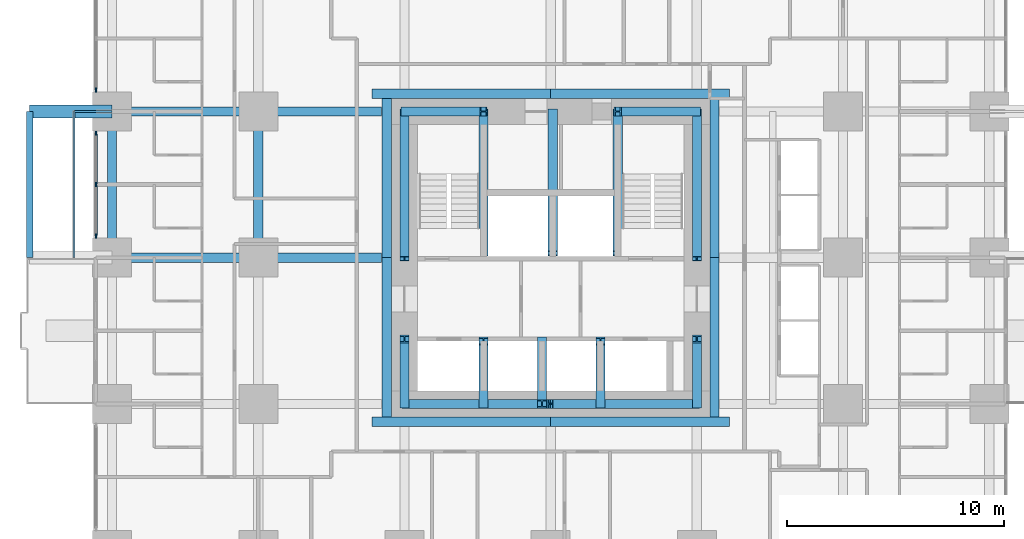
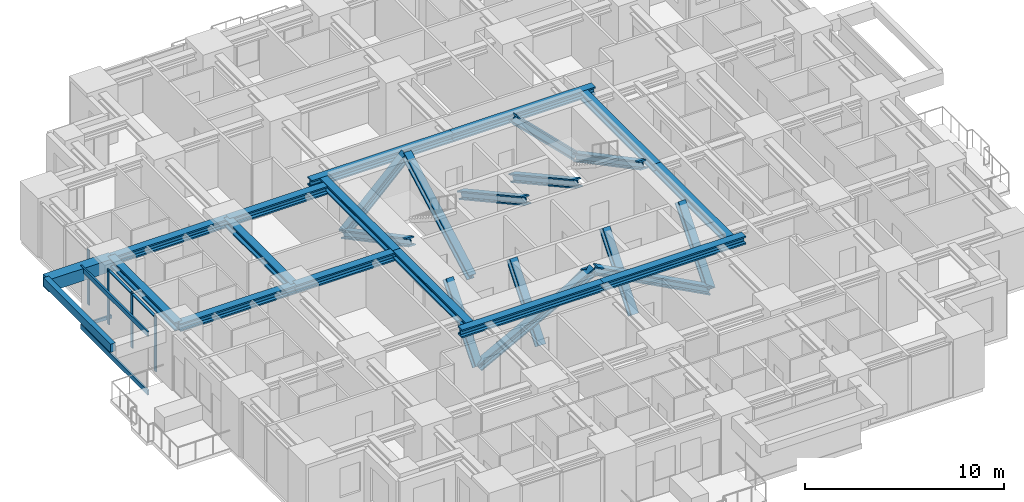
# One storey, part 3 of 15: 23 members, 16 beams, 2 elements without a shape of their own.
"""IFC4 building model written with IfcOpenShell, lengths in metres."""

from ifc_helpers import new_model, si_unit, direction, frame, origin, origin_2d, place, context, subcontext, project, spatial, rectangle, hollow_rectangle, i_section, extrude, material, material_profile, profile_set, type_object, element, aggregate, save


model = new_model("IFC4")

# Units and contexts
model_context = context("Model", 3, precision=1e-05, world=origin(), true_north=direction((0.0, 1.0)))
body_context = subcontext(model_context, "Body", "Model", "MODEL_VIEW")
ifc_project = project(units=[si_unit("LENGTHUNIT", "METRE"), si_unit("AREAUNIT", "SQUARE_METRE"), si_unit("VOLUMEUNIT", "CUBIC_METRE"), si_unit("PLANEANGLEUNIT", "RADIAN"), si_unit("MASSUNIT", "GRAM", prefix="KILO")], contexts=[model_context])

# Site, building, storey
site_placement = place(None, origin())
site = spatial("IfcSite", under=ifc_project, at=site_placement, CompositionType="ELEMENT")
building_placement = place(site_placement, origin())
building = spatial("IfcBuilding", under=site, at=building_placement, Name="Nyansa Garden Tower", CompositionType="ELEMENT")
storey_placement = place(building_placement, frame((0.0, 0.0, 61.199951171875)))
storey = spatial("IfcBuildingStorey", under=building, at=storey_placement, Name="L16", CompositionType="ELEMENT", Elevation=61.199951171875)

# Beams
ifc_material_1 = material(Name="Concrete C70/85", Category="concrete")
ifc_material_profile_1 = material_profile(ifc_material_1, rectangle(XDim=0.60009765625, YDim=0.75, at=origin_2d()), Name="RC 600x750")
ifc_profile_set_1 = profile_set([ifc_material_profile_1], Name="Concrete C70/85")
beam_type_1 = type_object("IfcBeamType", Name="Balcony cantilever beam CB1 RC 600x750", PredefinedType="BEAM", material=ifc_profile_set_1)
beam_1_placement = place(storey_placement, frame((0.0, 27.0, 2.985107421875), z_axis=(-1.0, 0.0, 0.0), x_axis=(0.0, -1.0, 0.0)))
element("IfcBeam", 1, at=beam_1_placement, inside=storey, type_object=beam_type_1, Name="Balcony cantilever beam L17", PredefinedType="BEAM", context=body_context, shape_type="SweptSolid", body=[
    extrude(rectangle(XDim=0.60009765625, YDim=0.75, at=origin_2d()), origin(), (0.0, 0.0, 1.0), 3.800048828125),
])
ifc_material_2 = material(Name="Concrete C70/85", Category="concrete")
ifc_material_profile_2 = material_profile(ifc_material_2, rectangle(XDim=0.300048828125, YDim=0.5, at=origin_2d()), Name="RC 300x500")
ifc_profile_set_2 = profile_set([ifc_material_profile_2], Name="Concrete C70/85")
beam_type_2 = type_object("IfcBeamType", Name="Balcony edge beam BE1 RC 300x500", PredefinedType="BEAM", material=ifc_profile_set_2)
beam_2_placement = place(storey_placement, frame((-3.800048828125, 20.25, 3.110107421875), z_axis=(0.0, 1.0, 0.0), x_axis=(-1.0, 0.0, 0.0)))
element("IfcBeam", 2, at=beam_2_placement, inside=storey, type_object=beam_type_2, Name="Balcony edge beam L17", PredefinedType="BEAM", context=body_context, shape_type="SweptSolid", body=[
    extrude(rectangle(XDim=0.300048828125, YDim=0.5, at=origin_2d()), origin(), (0.0, 0.0, 1.0), 6.75),
])

# Curtain wall, member
ifc_material_3 = material(Name="Black anodised aluminium, dark tinted double glazing", Category="aluminium")
curtain_wall_type = type_object("IfcCurtainWallType", Name="Inner skin curtain wall ISW-A", PredefinedType="USERDEFINED", material=ifc_material_3)
curtain_wall_1_placement = place(storey_placement, origin())
curtain_wall_1 = element("IfcCurtainWall", 3, at=curtain_wall_1_placement, inside=storey, type_object=curtain_wall_type, Name="Inner skin curtain wall L16 W", ObjectType="UNITISED CURTAIN WALL", PredefinedType="USERDEFINED")
ifc_material_4 = material(Name="Black anodised aluminium", Category="aluminium")
ifc_material_profile_3 = material_profile(ifc_material_4, rectangle(XDim=0.06494140625, YDim=0.199951171875, at=origin_2d()), Name="Mullion 200x65")
ifc_profile_set_3 = profile_set([ifc_material_profile_3], Name="Black anodised aluminium")
member_type_1 = type_object("IfcMemberType", Name="Mullion ISW-A 200x65", PredefinedType="MULLION", material=ifc_profile_set_3)
member_1_placement = place(storey_placement, frame((-0.75, 28.0, 0.0), z_axis=(0.0, 0.0, 1.0), x_axis=(1.0, 0.0, 0.0)))
member_1 = element("IfcMember", 4, at=member_1_placement, type_object=member_type_1, Name="ISW-A mullion 3", PredefinedType="MULLION", context=body_context, shape_type="SweptSolid", body=[
    extrude(rectangle(XDim=0.06494140625, YDim=0.199951171875, at=origin_2d()), origin(), (0.0, 0.0, 1.0), 3.375),
])
aggregate(curtain_wall_1, [member_1])

# Curtain wall, members
curtain_wall_2_placement = place(storey_placement, origin())
curtain_wall_2 = element("IfcCurtainWall", 5, at=curtain_wall_2_placement, inside=storey, type_object=curtain_wall_type, Name="Inner skin curtain wall L16 W", ObjectType="UNITISED CURTAIN WALL", PredefinedType="USERDEFINED")
member_2_placement = place(storey_placement, frame((-0.75, 26.0, 0.0), z_axis=(0.0, 0.0, 1.0), x_axis=(1.0, 0.0, 0.0)))
member_2 = element("IfcMember", 6, at=member_2_placement, type_object=member_type_1, Name="ISW-A mullion 1", PredefinedType="MULLION", context=body_context, shape_type="SweptSolid", body=[
    extrude(rectangle(XDim=0.06494140625, YDim=0.199951171875, at=origin_2d()), origin(), (0.0, 0.0, 1.0), 3.375),
])
member_3_placement = place(storey_placement, frame((-0.75, 23.625, 0.0), z_axis=(0.0, 0.0, 1.0), x_axis=(1.0, 0.0, 0.0)))
member_3 = element("IfcMember", 7, at=member_3_placement, type_object=member_type_1, Name="ISW-A mullion 2", PredefinedType="MULLION", context=body_context, shape_type="SweptSolid", body=[
    extrude(rectangle(XDim=0.06494140625, YDim=0.199951171875, at=origin_2d()), origin(), (0.0, 0.0, 1.0), 3.375),
])
member_4_placement = place(storey_placement, frame((-0.75, 21.25, 0.0), z_axis=(0.0, 0.0, 1.0), x_axis=(1.0, 0.0, 0.0)))
member_4 = element("IfcMember", 8, at=member_4_placement, type_object=member_type_1, Name="ISW-A mullion 3", PredefinedType="MULLION", context=body_context, shape_type="SweptSolid", body=[
    extrude(rectangle(XDim=0.06494140625, YDim=0.199951171875, at=origin_2d()), origin(), (0.0, 0.0, 1.0), 3.375),
])

# Members
ifc_material_5 = material(Name="Steel S355, black powder coated", Category="steel")
ifc_material_profile_4 = material_profile(ifc_material_5, hollow_rectangle(XDim=0.10009765625, YDim=0.199951171875, WallThickness=0.008056640625, at=origin_2d()), Name="RHS 200x100x8")
ifc_profile_set_4 = profile_set([ifc_material_profile_4], Name="Steel S355, black powder coated")
member_type_2 = type_object("IfcMemberType", Name="Outer skin bracket arm RHS 200x100x8", PredefinedType="USERDEFINED", material=ifc_profile_set_4)
member_5_placement = place(storey_placement, frame((0.0, 27.0, -0.375), z_axis=(-1.0, 0.0, 0.0), x_axis=(0.0, -1.0, 0.0)))
element("IfcMember", 9, at=member_5_placement, inside=storey, type_object=member_type_2, Name="Outer skin bracket arm", ObjectType="OUTER SKIN BRACKET", PredefinedType="USERDEFINED", context=body_context, shape_type="SweptSolid", body=[
    extrude(hollow_rectangle(XDim=0.10009765625, YDim=0.199951171875, WallThickness=0.008056640625, at=origin_2d()), origin(), (0.0, 0.0, 1.0), 1.75),
])
ifc_material_6 = material(Name="Steel S355, black powder coated", Category="steel")
ifc_material_profile_5 = material_profile(ifc_material_6, hollow_rectangle(XDim=0.10009765625, YDim=0.300048828125, WallThickness=0.010009765625, at=origin_2d()), Name="RHS 300x100x10")
ifc_profile_set_5 = profile_set([ifc_material_profile_5], Name="Steel S355, black powder coated")
member_type_3 = type_object("IfcMemberType", Name="Outer skin rail RHS 300x100x10", PredefinedType="USERDEFINED", material=ifc_profile_set_5)
for number, where, z_axis, x_axis, name in (
    (10, (-1.75, 20.25, -0.375), (0.0, 1.0, 0.0), (-1.0, 0.0, 0.0), "Outer skin rail L16"),
    (11, (-1.75, 20.25, 3.22509765625), (0.0, 1.0, 0.0), (-1.0, 0.0, 0.0), "Outer skin rail L16 head"),
):
    element("IfcMember", number, at=place(storey_placement, frame(where, z_axis=z_axis, x_axis=x_axis)), inside=storey, type_object=member_type_3, Name=name, ObjectType="OUTER SKIN RAIL", PredefinedType="USERDEFINED", context=body_context, shape_type="SweptSolid", body=[
        extrude(hollow_rectangle(XDim=0.10009765625, YDim=0.300048828125, WallThickness=0.010009765625, at=origin_2d()), origin(), (0.0, 0.0, 1.0), 6.75),
    ])
ifc_material_7 = material(Name="Steel S355", Category="steel")
ifc_material_profile_6 = material_profile(ifc_material_7, i_section(OverallWidth=0.424072265625, OverallDepth=0.47412109375, WebThickness=0.047607421875, FlangeThickness=0.076904296875, FilletRadius=0.014892578125, at=origin_2d()), Name="HD 400x634")
ifc_profile_set_6 = profile_set([ifc_material_profile_6], Name="Steel S355")
member_type_4 = type_object("IfcMemberType", Name="Perimeter brace HD 400x634", PredefinedType="BRACE", material=ifc_profile_set_6)
for number, where, z_axis, x_axis, name in (
    (12, (13.5, 13.5, 0.0), (0.882347640589, 0.0, 0.47059817376), (0.0, 1.0, 0.0), "Core brace CS1 L16"),
    (13, (27.0, 13.5, 0.0), (-0.882347640589, 0.0, 0.47059817376), (0.0, -1.0, 0.0), "Core brace CS2 L16"),
):
    element("IfcMember", number, at=place(storey_placement, frame(where, z_axis=z_axis, x_axis=x_axis)), inside=storey, type_object=member_type_4, Name=name, PredefinedType="BRACE", context=body_context, shape_type="SweptSolid", body=[
        extrude(i_section(OverallWidth=0.424072265625, OverallDepth=0.47412109375, WebThickness=0.047607421875, FlangeThickness=0.076904296875, FilletRadius=0.014892578125, at=origin_2d()), origin(), (0.0, 0.0, 1.0), 7.650146484375),
    ])
for number, where, z_axis, x_axis, name in (
    (14, (13.5, 27.0, 0.0), (0.711947531702, 0.0, 0.702232662373), (0.0, 1.0, 0.0), "Core brace CN3 L16"),
    (15, (27.0, 27.0, 0.0), (-0.711947531702, 0.0, 0.702232662373), (0.0, -1.0, 0.0), "Core brace CN4 L16"),
):
    element("IfcMember", number, at=place(storey_placement, frame(where, z_axis=z_axis, x_axis=x_axis)), inside=storey, type_object=member_type_4, Name=name, PredefinedType="BRACE", context=body_context, shape_type="SweptSolid", body=[
        extrude(i_section(OverallWidth=0.424072265625, OverallDepth=0.47412109375, WebThickness=0.047607421875, FlangeThickness=0.076904296875, FilletRadius=0.014892578125, at=origin_2d()), origin(), (0.0, 0.0, 1.0), 5.126708984375),
    ])
member_6_placement = place(storey_placement, frame((13.5, 13.5, 0.0), z_axis=(0.0, 0.640174150918, 0.768229820104), x_axis=(-1.0, 0.0, 0.0)))
element("IfcMember", 16, at=member_6_placement, inside=storey, type_object=member_type_4, Name="Core brace CW5 L16", PredefinedType="BRACE", context=body_context, shape_type="SweptSolid", body=[
    extrude(i_section(OverallWidth=0.424072265625, OverallDepth=0.47412109375, WebThickness=0.047607421875, FlangeThickness=0.076904296875, FilletRadius=0.014892578125, at=origin_2d()), origin(), (0.0, 0.0, 1.0), 4.686279296875),
])
member_7_placement = place(storey_placement, frame((13.5, 27.0, 0.0), z_axis=(0.0, -0.883784057226, 0.467895009796), x_axis=(1.0, 0.0, 0.0)))
element("IfcMember", 17, at=member_7_placement, inside=storey, type_object=member_type_4, Name="Core brace CW6 L16", PredefinedType="BRACE", context=body_context, shape_type="SweptSolid", body=[
    extrude(i_section(OverallWidth=0.424072265625, OverallDepth=0.47412109375, WebThickness=0.047607421875, FlangeThickness=0.076904296875, FilletRadius=0.014892578125, at=origin_2d()), origin(), (0.0, 0.0, 1.0), 7.6943359375),
])
member_8_placement = place(storey_placement, frame((27.0, 13.5, 0.0), z_axis=(0.0, 0.640174150918, 0.768229820104), x_axis=(-1.0, 0.0, 0.0)))
element("IfcMember", 18, at=member_8_placement, inside=storey, type_object=member_type_4, Name="Core brace CE7 L16", PredefinedType="BRACE", context=body_context, shape_type="SweptSolid", body=[
    extrude(i_section(OverallWidth=0.424072265625, OverallDepth=0.47412109375, WebThickness=0.047607421875, FlangeThickness=0.076904296875, FilletRadius=0.014892578125, at=origin_2d()), origin(), (0.0, 0.0, 1.0), 4.686279296875),
])
member_9_placement = place(storey_placement, frame((27.0, 27.0, 0.0), z_axis=(0.0, -0.883784057226, 0.467895009796), x_axis=(1.0, 0.0, 0.0)))
element("IfcMember", 19, at=member_9_placement, inside=storey, type_object=member_type_4, Name="Core brace CE8 L16", PredefinedType="BRACE", context=body_context, shape_type="SweptSolid", body=[
    extrude(i_section(OverallWidth=0.424072265625, OverallDepth=0.47412109375, WebThickness=0.047607421875, FlangeThickness=0.076904296875, FilletRadius=0.014892578125, at=origin_2d()), origin(), (0.0, 0.0, 1.0), 7.6943359375),
])
for number, where, z_axis, x_axis, name in (
    (20, (17.14990234375, 20.449951171875, 0.0), (0.0, 0.876353113771, 0.481669201822), (-1.0, 0.0, 0.0), "Core brace CWS9 L16"),
    (21, (23.35009765625, 27.0, 0.0), (0.0, -0.876353113771, 0.481669201822), (1.0, 0.0, 0.0), "Core brace CES10 L16"),
):
    element("IfcMember", number, at=place(storey_placement, frame(where, z_axis=z_axis, x_axis=x_axis)), inside=storey, type_object=member_type_4, Name=name, PredefinedType="BRACE", context=body_context, shape_type="SweptSolid", body=[
        extrude(i_section(OverallWidth=0.424072265625, OverallDepth=0.47412109375, WebThickness=0.047607421875, FlangeThickness=0.076904296875, FilletRadius=0.014892578125, at=origin_2d()), origin(), (0.0, 0.0, 1.0), 7.47412109375),
    ])
for number, where, z_axis, x_axis, name in (
    (22, (17.14990234375, 13.5, 0.0), (0.0, 0.627306405886, 0.778772542617), (-1.0, 0.0, 0.0), "Core brace CSW11 L16"),
    (23, (19.85009765625, 16.39990234375, 0.0), (0.0, -0.627306405886, 0.778772542617), (1.0, 0.0, 0.0), "Core brace CSW12 L16"),
    (24, (22.550048828125, 13.5, 0.0), (0.0, 0.627306405886, 0.778772542617), (-1.0, 0.0, 0.0), "Core brace CSW13 L16"),
):
    element("IfcMember", number, at=place(storey_placement, frame(where, z_axis=z_axis, x_axis=x_axis)), inside=storey, type_object=member_type_4, Name=name, PredefinedType="BRACE", context=body_context, shape_type="SweptSolid", body=[
        extrude(i_section(OverallWidth=0.424072265625, OverallDepth=0.47412109375, WebThickness=0.047607421875, FlangeThickness=0.076904296875, FilletRadius=0.014892578125, at=origin_2d()), origin(), (0.0, 0.0, 1.0), 4.622802734375),
    ])
member_10_placement = place(storey_placement, frame((20.35009765625, 27.0, 0.0), z_axis=(0.0, -0.876353113771, 0.481669201822), x_axis=(1.0, 0.0, 0.0)))
element("IfcMember", 25, at=member_10_placement, inside=storey, type_object=member_type_4, Name="Core brace CNW14 L16", PredefinedType="BRACE", context=body_context, shape_type="SweptSolid", body=[
    extrude(i_section(OverallWidth=0.424072265625, OverallDepth=0.47412109375, WebThickness=0.047607421875, FlangeThickness=0.076904296875, FilletRadius=0.014892578125, at=origin_2d()), origin(), (0.0, 0.0, 1.0), 7.47412109375),
])

# Beams
ifc_material_8 = material(Name="Steel S355", Category="steel")
ifc_material_profile_7 = material_profile(ifc_material_8, i_section(OverallWidth=0.431884765625, OverallDepth=0.498046875, WebThickness=0.0556640625, FlangeThickness=0.0888671875, FilletRadius=0.014892578125, at=origin_2d()), Name="HD 400x744")
ifc_profile_set_7 = profile_set([ifc_material_profile_7], Name="Steel S355")
beam_type_3 = type_object("IfcBeamType", Name="Steel beam SBA1-744 HD 400x744", PredefinedType="BEAM", material=ifc_profile_set_7)
for number, where, z_axis, x_axis, name in (
    (26, (0.0, 20.25, 3.1259765625), (1.0, 0.0, 0.0), (0.0, 1.0, 0.0), "Steel beam 2/G-3/G L17"),
    (27, (0.0, 27.0, 3.1259765625), (1.0, 0.0, 0.0), (0.0, 1.0, 0.0), "Steel beam 2/H-3/H L17"),
    (28, (6.75, 20.25, 3.1259765625), (0.0, 1.0, 0.0), (-1.0, 0.0, 0.0), "Steel beam 3/G-3/H L17"),
):
    element("IfcBeam", number, at=place(storey_placement, frame(where, z_axis=z_axis, x_axis=x_axis)), inside=storey, type_object=beam_type_3, Name=name, PredefinedType="BEAM", context=body_context, shape_type="SweptSolid", body=[
        extrude(i_section(OverallWidth=0.431884765625, OverallDepth=0.498046875, WebThickness=0.0556640625, FlangeThickness=0.0888671875, FilletRadius=0.014892578125, at=origin_2d()), origin(), (0.0, 0.0, 1.0), 6.75),
    ])
for number, where, z_axis, x_axis, name in (
    (29, (6.75, 20.25, 3.1259765625), (1.0, 0.0, 0.0), (0.0, 1.0, 0.0), "Steel beam 3/G-12.450/G L17"),
    (30, (6.75, 27.0, 3.1259765625), (1.0, 0.0, 0.0), (0.0, 1.0, 0.0), "Steel beam 3/H-12.450/H L17"),
):
    element("IfcBeam", number, at=place(storey_placement, frame(where, z_axis=z_axis, x_axis=x_axis)), inside=storey, type_object=beam_type_3, Name=name, PredefinedType="BEAM", context=body_context, shape_type="SweptSolid", body=[
        extrude(i_section(OverallWidth=0.431884765625, OverallDepth=0.498046875, WebThickness=0.0556640625, FlangeThickness=0.0888671875, FilletRadius=0.014892578125, at=origin_2d()), origin(), (0.0, 0.0, 1.0), 5.699951171875),
    ])
ifc_material_9 = material(Name="Steel S355", Category="steel")
ifc_material_profile_8 = material_profile(ifc_material_9, i_section(OverallWidth=0.431884765625, OverallDepth=0.498046875, WebThickness=0.0556640625, FlangeThickness=0.0888671875, FilletRadius=0.014892578125, at=origin_2d()), Name="HD 400x744")
ifc_profile_set_8 = profile_set([ifc_material_profile_8], Name="Steel S355")
beam_type_4 = type_object("IfcBeamType", Name="Steel beam SEBA-744 HD 400x744", PredefinedType="BEAM", material=ifc_profile_set_8)
beam_3_placement = place(storey_placement, frame((0.0, 20.25, 3.1259765625), z_axis=(0.0, 1.0, 0.0), x_axis=(-1.0, 0.0, 0.0)))
element("IfcBeam", 31, at=beam_3_placement, inside=storey, type_object=beam_type_4, Name="Steel edge beam 2/G-2/H L17", PredefinedType="BEAM", context=body_context, shape_type="SweptSolid", body=[
    extrude(i_section(OverallWidth=0.431884765625, OverallDepth=0.498046875, WebThickness=0.0556640625, FlangeThickness=0.0888671875, FilletRadius=0.014892578125, at=origin_2d()), origin(), (0.0, 0.0, 1.0), 6.75),
])
ifc_material_10 = material(Name="Steel S355", Category="steel")
ifc_material_profile_9 = material_profile(ifc_material_10, i_section(OverallWidth=0.431884765625, OverallDepth=0.498046875, WebThickness=0.0556640625, FlangeThickness=0.0888671875, FilletRadius=0.014892578125, at=origin_2d()), Name="HD 400x744")
ifc_profile_set_9 = profile_set([ifc_material_profile_9], Name="Steel S355")
beam_type_5 = type_object("IfcBeamType", Name="Steel beam SLB1-744 HD 400x744", PredefinedType="BEAM", material=ifc_profile_set_9)
for number, where, z_axis, x_axis, name in (
    (32, (12.0, 12.68408203125, 3.1259765625), (1.0, 0.0, 0.0), (0.0, 1.0, 0.0), "Steel core ledger beam S.1 L17"),
    (33, (20.25, 12.68408203125, 3.1259765625), (1.0, 0.0, 0.0), (0.0, 1.0, 0.0), "Steel core ledger beam S.2 L17"),
):
    element("IfcBeam", number, at=place(storey_placement, frame(where, z_axis=z_axis, x_axis=x_axis)), inside=storey, type_object=beam_type_5, Name=name, PredefinedType="BEAM", context=body_context, shape_type="SweptSolid", body=[
        extrude(i_section(OverallWidth=0.431884765625, OverallDepth=0.498046875, WebThickness=0.0556640625, FlangeThickness=0.0888671875, FilletRadius=0.014892578125, at=origin_2d()), origin(), (0.0, 0.0, 1.0), 8.25),
    ])
for number, where, z_axis, x_axis, name in (
    (34, (27.81591796875, 12.89990234375, 3.1259765625), (0.0, 1.0, 0.0), (-1.0, 0.0, 0.0), "Steel core ledger beam E.1 L17"),
    (35, (27.81591796875, 20.25, 3.1259765625), (0.0, 1.0, 0.0), (-1.0, 0.0, 0.0), "Steel core ledger beam E.2 L17"),
):
    element("IfcBeam", number, at=place(storey_placement, frame(where, z_axis=z_axis, x_axis=x_axis)), inside=storey, type_object=beam_type_5, Name=name, PredefinedType="BEAM", context=body_context, shape_type="SweptSolid", body=[
        extrude(i_section(OverallWidth=0.431884765625, OverallDepth=0.498046875, WebThickness=0.0556640625, FlangeThickness=0.0888671875, FilletRadius=0.014892578125, at=origin_2d()), origin(), (0.0, 0.0, 1.0), 7.35009765625),
    ])
for number, where, z_axis, x_axis, name in (
    (36, (28.5, 27.81591796875, 3.1259765625), (-1.0, 0.0, 0.0), (0.0, -1.0, 0.0), "Steel core ledger beam N.1 L17"),
    (37, (20.25, 27.81591796875, 3.1259765625), (-1.0, 0.0, 0.0), (0.0, -1.0, 0.0), "Steel core ledger beam N.2 L17"),
):
    element("IfcBeam", number, at=place(storey_placement, frame(where, z_axis=z_axis, x_axis=x_axis)), inside=storey, type_object=beam_type_5, Name=name, PredefinedType="BEAM", context=body_context, shape_type="SweptSolid", body=[
        extrude(i_section(OverallWidth=0.431884765625, OverallDepth=0.498046875, WebThickness=0.0556640625, FlangeThickness=0.0888671875, FilletRadius=0.014892578125, at=origin_2d()), origin(), (0.0, 0.0, 1.0), 8.25),
    ])
for number, where, z_axis, x_axis, name in (
    (38, (12.68408203125, 27.60009765625, 3.1259765625), (0.0, -1.0, 0.0), (1.0, 0.0, 0.0), "Steel core ledger beam W.1 L17"),
    (39, (12.68408203125, 20.25, 3.1259765625), (0.0, -1.0, 0.0), (1.0, 0.0, 0.0), "Steel core ledger beam W.2 L17"),
):
    element("IfcBeam", number, at=place(storey_placement, frame(where, z_axis=z_axis, x_axis=x_axis)), inside=storey, type_object=beam_type_5, Name=name, PredefinedType="BEAM", context=body_context, shape_type="SweptSolid", body=[
        extrude(i_section(OverallWidth=0.431884765625, OverallDepth=0.498046875, WebThickness=0.0556640625, FlangeThickness=0.0888671875, FilletRadius=0.014892578125, at=origin_2d()), origin(), (0.0, 0.0, 1.0), 7.35009765625),
    ])

# Member
ifc_material_11 = material(Name="Black anodised aluminium", Category="aluminium")
ifc_material_profile_10 = material_profile(ifc_material_11, rectangle(XDim=0.14990234375, YDim=0.06494140625, at=origin_2d()), Name="Transom 150x65")
ifc_profile_set_10 = profile_set([ifc_material_profile_10], Name="Black anodised aluminium")
member_type_5 = type_object("IfcMemberType", Name="Transom ISW-A 150x65", PredefinedType="USERDEFINED", material=ifc_profile_set_10)
member_11_placement = place(storey_placement, frame((-0.75, 25.967529296875, 3.342529296875), z_axis=(0.0, -1.0, 0.0), x_axis=(1.0, 0.0, 0.0)))
member_11 = element("IfcMember", 40, at=member_11_placement, type_object=member_type_5, Name="ISW-A transom 1", ObjectType="TRANSOM", PredefinedType="USERDEFINED", context=body_context, shape_type="SweptSolid", body=[
    extrude(rectangle(XDim=0.14990234375, YDim=0.06494140625, at=origin_2d()), origin(), (0.0, 0.0, 1.0), 2.31005859375),
])

member_12_placement = place(storey_placement, frame((-0.75, 23.592529296875, 3.342529296875), z_axis=(0.0, -1.0, 0.0), x_axis=(1.0, 0.0, 0.0)))
member_12 = element("IfcMember", 41, at=member_12_placement, type_object=member_type_5, Name="ISW-A transom 2", ObjectType="TRANSOM", PredefinedType="USERDEFINED", context=body_context, shape_type="SweptSolid", body=[
    extrude(rectangle(XDim=0.14990234375, YDim=0.06494140625, at=origin_2d()), origin(), (0.0, 0.0, 1.0), 2.31005859375),
])

aggregate(curtain_wall_2, [member_2, member_3, member_4, member_11, member_12])

save(model, "model.ifc")
